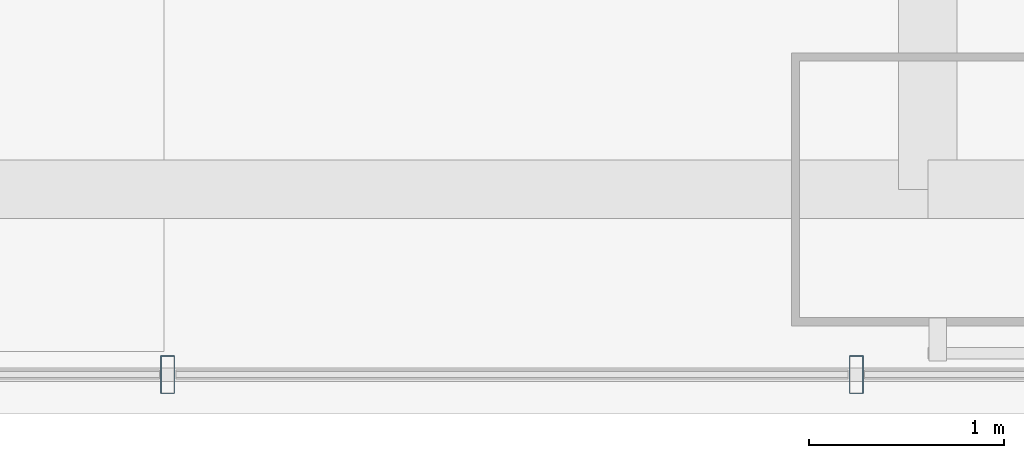
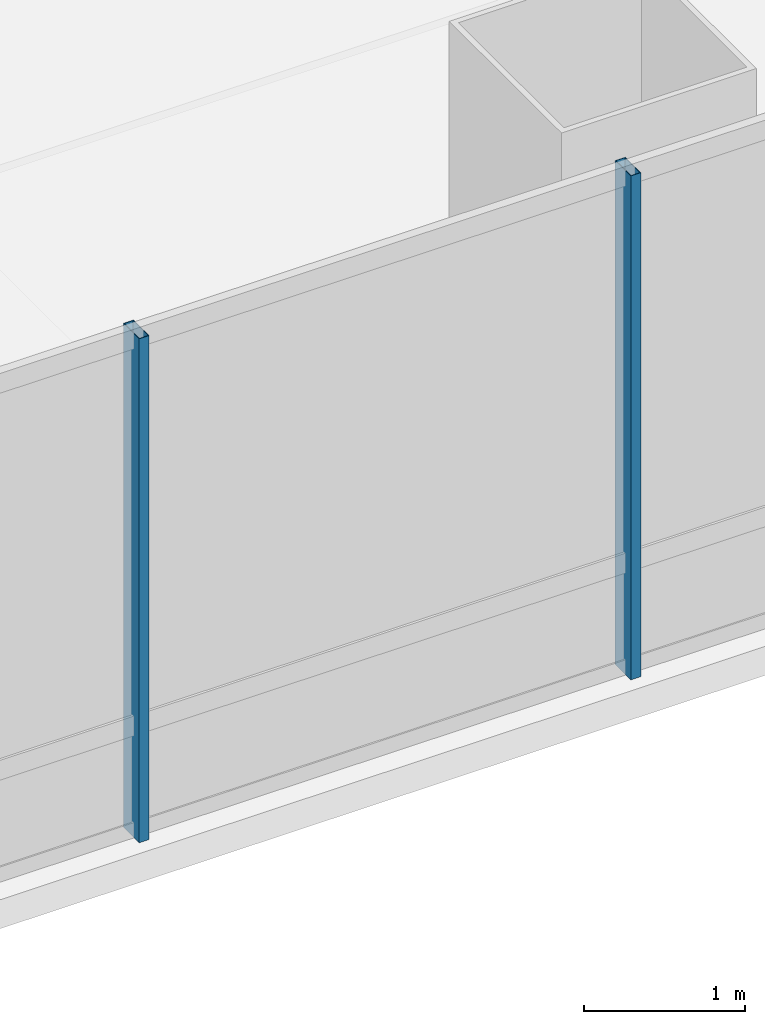
# One storey, part 7 of 38: 2 members, 1 element without a shape of its own.
"""IFC4 building model written with IfcOpenShell, lengths in metres."""

from ifc_helpers import new_model, si_unit, direction, frame, origin, origin_2d, place, context, subcontext, project, spatial, hollow_rectangle, extrude, material, material_profile, profile_set, type_object, element, aggregate, save


model = new_model("IFC4")

# Units and contexts
model_context = context("Model", 3, precision=1e-05, world=origin(), true_north=direction((0.0, 1.0)))
body_context = subcontext(model_context, "Body", "Model", "MODEL_VIEW")
ifc_project = project(units=[si_unit("LENGTHUNIT", "METRE"), si_unit("AREAUNIT", "SQUARE_METRE"), si_unit("VOLUMEUNIT", "CUBIC_METRE"), si_unit("PLANEANGLEUNIT", "RADIAN"), si_unit("MASSUNIT", "GRAM", prefix="KILO")], contexts=[model_context])

# Site, building, storey
site_placement = place(None, origin())
site = spatial("IfcSite", under=ifc_project, at=site_placement, CompositionType="ELEMENT")
building_placement = place(site_placement, origin())
building = spatial("IfcBuilding", under=site, at=building_placement, Name="Punatoya Terracotta Tower", CompositionType="ELEMENT")
storey_placement = place(building_placement, frame((0.0, 0.0, 147.89990234375)))
storey = spatial("IfcBuildingStorey", under=building, at=storey_placement, Name="L34", CompositionType="ELEMENT", Elevation=147.89990234375)

# Curtain wall, members
ifc_material_1 = material(Name="Aluminium 6063-T6 + Double Low-E Glass", Category="aluminium")
curtain_wall_type = type_object("IfcCurtainWallType", Name="CW-M2", PredefinedType="NOTDEFINED", material=ifc_material_1)
curtain_wall_placement = place(storey_placement, origin())
curtain_wall = element("IfcCurtainWall", 1, at=curtain_wall_placement, inside=storey, type_object=curtain_wall_type, Name="L34 Curtain Wall CW-L34-S01-1", PredefinedType="NOTDEFINED")
ifc_material_2 = material(Name="Aluminium 6063-T6", Category="aluminium")
ifc_material_profile = material_profile(ifc_material_2, hollow_rectangle(XDim=0.072021484375, YDim=0.195068359375, WallThickness=0.00439453125, at=origin_2d()))
ifc_profile_set = profile_set([ifc_material_profile], Name="Aluminium 6063-T6")
member_type = type_object("IfcMemberType", Name="CW-MUL-M2", PredefinedType="MULLION", material=ifc_profile_set)
member_1_placement = place(storey_placement, frame((-7.700927734375, -18.449951171875, 0.0), z_axis=(0.0, 0.0, 1.0), x_axis=(1.0, 0.0, 0.0)))
member_1 = element("IfcMember", 2, at=member_1_placement, type_object=member_type, Name="CW-L34-S01-1 Mullion 04", PredefinedType="MULLION", context=body_context, shape_type="SweptSolid", body=[
    extrude(hollow_rectangle(XDim=0.072021484375, YDim=0.195068359375, WallThickness=0.00439453125, at=origin_2d()), origin(), (0.0, 0.0, 1.0), 3.830078125),
])
member_2_placement = place(storey_placement, frame((-4.1669921875, -18.449951171875, 0.0), z_axis=(0.0, 0.0, 1.0), x_axis=(1.0, 0.0, 0.0)))
member_2 = element("IfcMember", 3, at=member_2_placement, type_object=member_type, Name="CW-L34-S01-1 Mullion 05", PredefinedType="MULLION", context=body_context, shape_type="SweptSolid", body=[
    extrude(hollow_rectangle(XDim=0.072021484375, YDim=0.195068359375, WallThickness=0.00439453125, at=origin_2d()), origin(), (0.0, 0.0, 1.0), 3.830078125),
])
aggregate(curtain_wall, [member_1, member_2])

save(model, "model.ifc")
